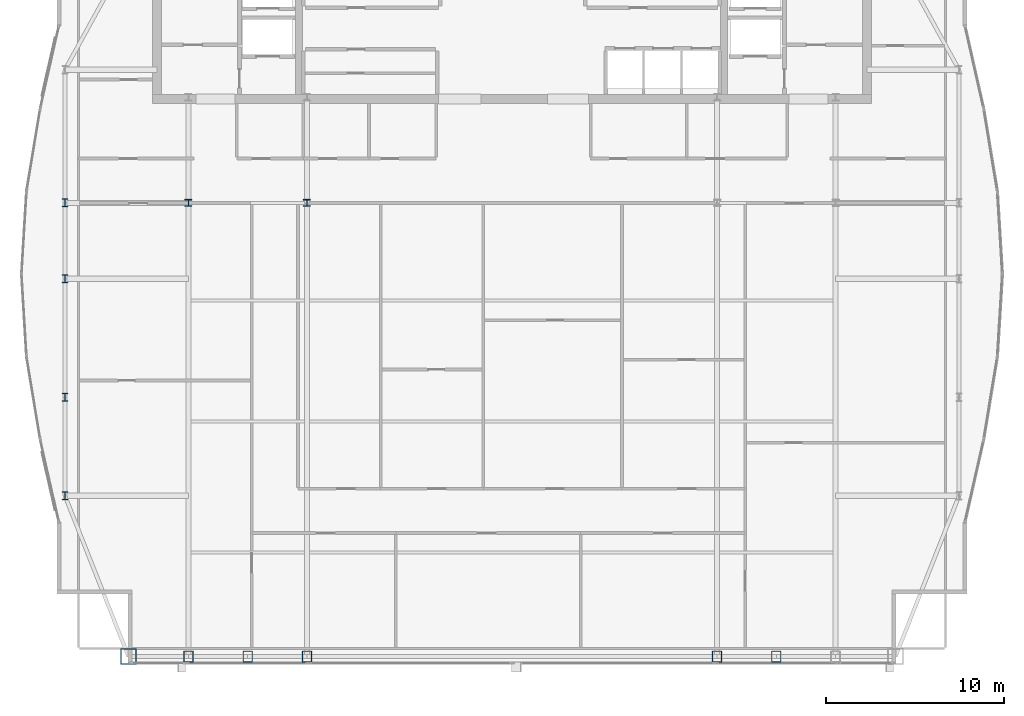
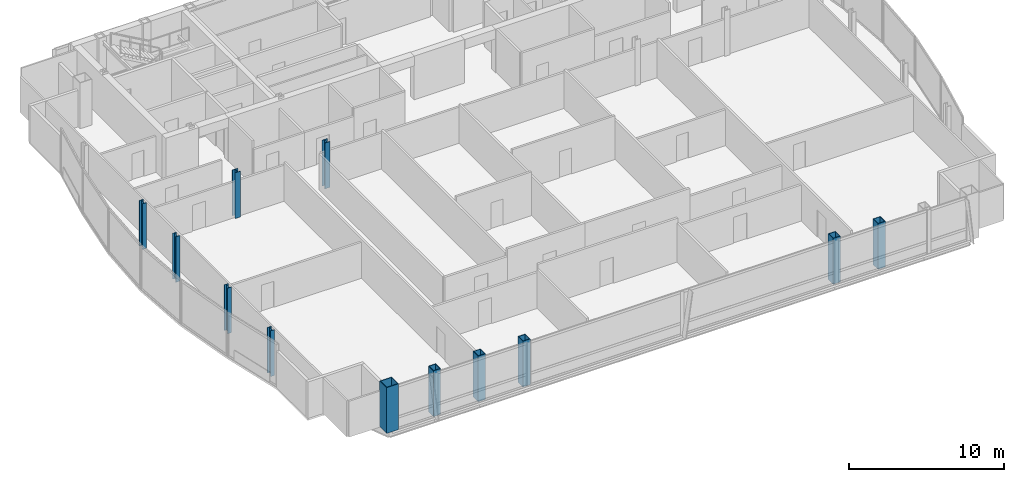
# One storey, part 1 of 29: 12 columns.
"""IFC4 building model written with IfcOpenShell, lengths in metres."""

from ifc_helpers import new_model, si_unit, direction, frame, origin, origin_2d, place, context, subcontext, project, spatial, hollow_rectangle, i_section, extrude, material, material_profile, profile_set, type_object, element, save


model = new_model("IFC4")

# Units and contexts
model_context = context("Model", 3, precision=1e-05, world=origin(), true_north=direction((0.0, 1.0)))
body_context = subcontext(model_context, "Body", "Model", "MODEL_VIEW")
ifc_project = project(units=[si_unit("LENGTHUNIT", "METRE"), si_unit("AREAUNIT", "SQUARE_METRE"), si_unit("VOLUMEUNIT", "CUBIC_METRE"), si_unit("PLANEANGLEUNIT", "RADIAN"), si_unit("MASSUNIT", "GRAM", prefix="KILO")], contexts=[model_context])

# Site, building, storey
site_placement = place(None, origin())
site = spatial("IfcSite", under=ifc_project, at=site_placement, CompositionType="ELEMENT")
building_placement = place(site_placement, origin())
building = spatial("IfcBuilding", under=site, at=building_placement, Name="Khoronbel Lancet Exchange", CompositionType="ELEMENT")
storey_placement = place(building_placement, frame((0.0, 0.0, 318.199951171875)))
storey = spatial("IfcBuildingStorey", under=building, at=storey_placement, Name="L82", CompositionType="ELEMENT", Elevation=318.199951171875)

# Columns
ifc_material_1 = material(Name="Steel S460", Category="steel")
ifc_material_profile_1 = material_profile(ifc_material_1, hollow_rectangle(XDim=0.550048828125, YDim=0.64990234375, WallThickness=0.0400390625, at=origin_2d()), Name="BOX 650x550x40")
ifc_profile_set_1 = profile_set([ifc_material_profile_1], Name="Steel S460")
column_type_1 = type_object("IfcColumnType", Name="COL-EC4", PredefinedType="COLUMN", material=ifc_profile_set_1)
for number, where, z_axis, x_axis, name in (
    (1, (18.22509765625, 10.14990234375, 0.0), (0.0, 0.0, 1.0), (1.0, 0.0, 0.0), "Structural column SC-W1 L82"),
    (2, (21.5625, 10.14990234375, 0.0), (0.0, 0.0, 1.0), (1.0, 0.0, 0.0), "Structural column SC-WM L82"),
    (3, (24.89990234375, 10.14990234375, 0.0), (0.0, 0.0, 1.0), (1.0, 0.0, 0.0), "Structural column SC-W2 L82"),
    (4, (48.0, 10.14990234375, 0.0), (0.0, 0.0, 1.0), (1.0, 0.0, 0.0), "Structural column SC-E1 L82"),
    (5, (51.33740234375, 10.14990234375, 0.0), (0.0, 0.0, 1.0), (1.0, 0.0, 0.0), "Structural column SC-EM L82"),
):
    element("IfcColumn", number, at=place(storey_placement, frame(where, z_axis=z_axis, x_axis=x_axis)), inside=storey, type_object=column_type_1, Name=name, PredefinedType="COLUMN", context=body_context, shape_type="SweptSolid", body=[
        extrude(hollow_rectangle(XDim=0.550048828125, YDim=0.64990234375, WallThickness=0.0400390625, at=origin_2d()), origin(), (0.0, 0.0, 1.0), 3.60009765625),
    ])
ifc_material_2 = material(Name="Steel S355", Category="steel")
ifc_material_profile_2 = material_profile(ifc_material_2, i_section(OverallWidth=0.39892578125, OverallDepth=0.39306640625, WebThickness=0.022705078125, FlangeThickness=0.03662109375, at=origin_2d()), Name="HD 400x287")
ifc_profile_set_2 = profile_set([ifc_material_profile_2], Name="Steel S355")
column_type_2 = type_object("IfcColumnType", Name="COL-IC4", PredefinedType="COLUMN", material=ifc_profile_set_2)
for number, where, z_axis, x_axis, name in (
    (6, (18.22509765625, 35.699951171875, 0.0), (0.0, 0.0, 1.0), (1.0, 0.0, 0.0), "Spine gravity column TC1 L82"),
    (7, (24.89990234375, 35.699951171875, 0.0), (0.0, 0.0, 1.0), (1.0, 0.0, 0.0), "Spine gravity column TC2 L82"),
):
    element("IfcColumn", number, at=place(storey_placement, frame(where, z_axis=z_axis, x_axis=x_axis)), inside=storey, type_object=column_type_2, Name=name, PredefinedType="COLUMN", context=body_context, shape_type="SweptSolid", body=[
        extrude(i_section(OverallWidth=0.39892578125, OverallDepth=0.39306640625, WebThickness=0.022705078125, FlangeThickness=0.03662109375, at=origin_2d()), origin(), (0.0, 0.0, 1.0), 3.60009765625),
    ])
ifc_material_profile_3 = material_profile(ifc_material_2, i_section(OverallWidth=0.300048828125, OverallDepth=0.449951171875, WebThickness=0.013916015625, FlangeThickness=0.02587890625, at=origin_2d()), Name="HEB 450")
ifc_profile_set_3 = profile_set([ifc_material_profile_3], Name="Steel S355")
column_type_3 = type_object("IfcColumnType", Name="COL-LC2", PredefinedType="COLUMN", material=ifc_profile_set_3)
for number, where, z_axis, x_axis, name in (
    (8, (11.27001953125, 19.199951171875, 0.0), (0.0, 0.0, 1.0), (1.0, 0.0, 0.0), "Structural column WC-1 L82"),
    (9, (11.27001953125, 24.75, 0.0), (0.0, 0.0, 1.0), (1.0, 0.0, 0.0), "Structural column WC-2 L82"),
    (10, (11.27001953125, 31.425048828125, 0.0), (0.0, 0.0, 1.0), (1.0, 0.0, 0.0), "Structural column WC-M L82"),
    (11, (11.27001953125, 35.699951171875, 0.0), (0.0, 0.0, 1.0), (1.0, 0.0, 0.0), "Structural column WC-3 L82"),
):
    element("IfcColumn", number, at=place(storey_placement, frame(where, z_axis=z_axis, x_axis=x_axis)), inside=storey, type_object=column_type_3, Name=name, PredefinedType="COLUMN", context=body_context, shape_type="SweptSolid", body=[
        extrude(i_section(OverallWidth=0.300048828125, OverallDepth=0.449951171875, WebThickness=0.013916015625, FlangeThickness=0.02587890625, at=origin_2d()), origin(), (0.0, 0.0, 1.0), 3.60009765625),
    ])
ifc_material_profile_4 = material_profile(ifc_material_1, hollow_rectangle(XDim=0.89990234375, YDim=0.89990234375, WallThickness=0.050048828125, at=origin_2d()), Name="BOX 900x900x50")
ifc_profile_set_4 = profile_set([ifc_material_profile_4], Name="Steel S460")
column_type_4 = type_object("IfcColumnType", Name="COL-MC7", PredefinedType="COLUMN", material=ifc_profile_set_4)
column_placement = place(storey_placement, frame((14.85009765625, 10.14990234375, 0.0), z_axis=(0.0, 0.0, 1.0), x_axis=(1.0, 0.0, 0.0)))
element("IfcColumn", 12, at=column_placement, inside=storey, type_object=column_type_4, Name="Structural column MC-SW L82", PredefinedType="COLUMN", context=body_context, shape_type="SweptSolid", body=[
    extrude(hollow_rectangle(XDim=0.89990234375, YDim=0.89990234375, WallThickness=0.050048828125, at=origin_2d()), origin(), (0.0, 0.0, 1.0), 3.60009765625),
])

save(model, "model.ifc")
